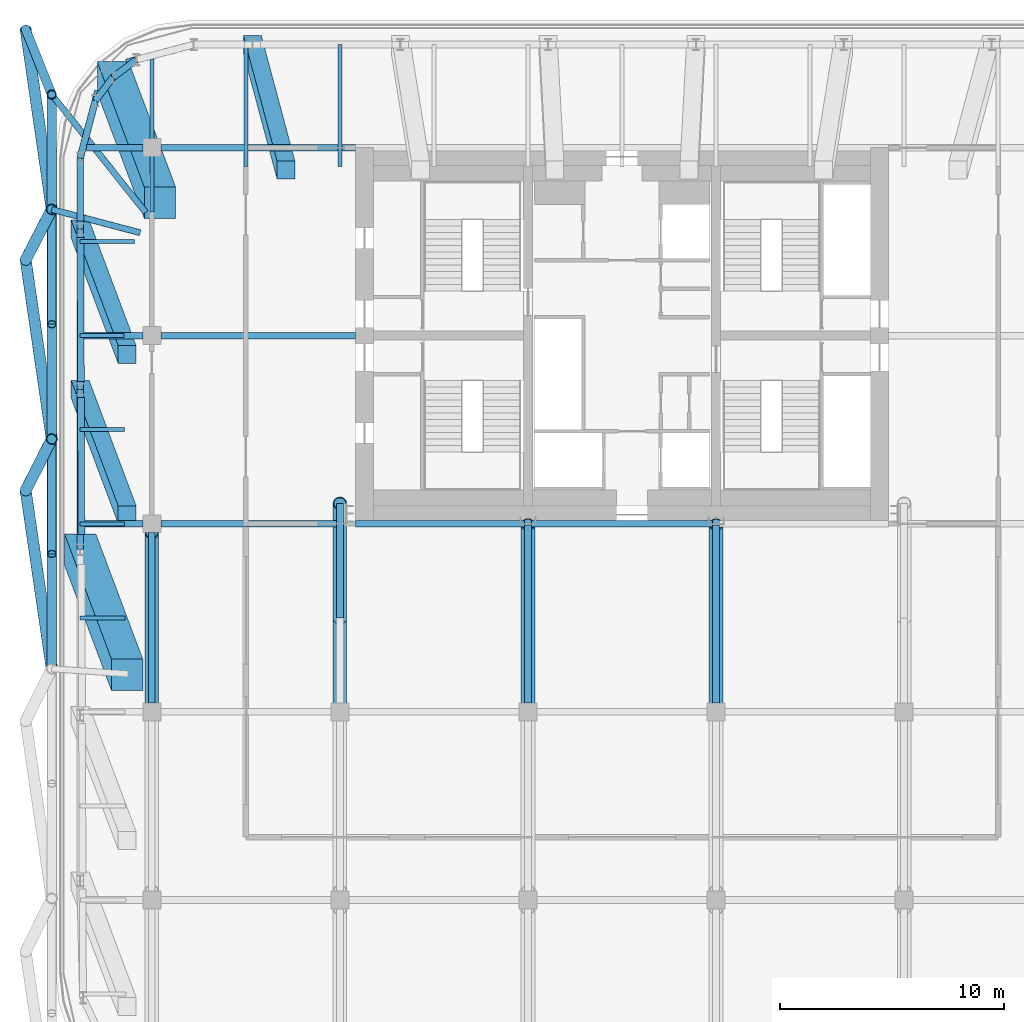
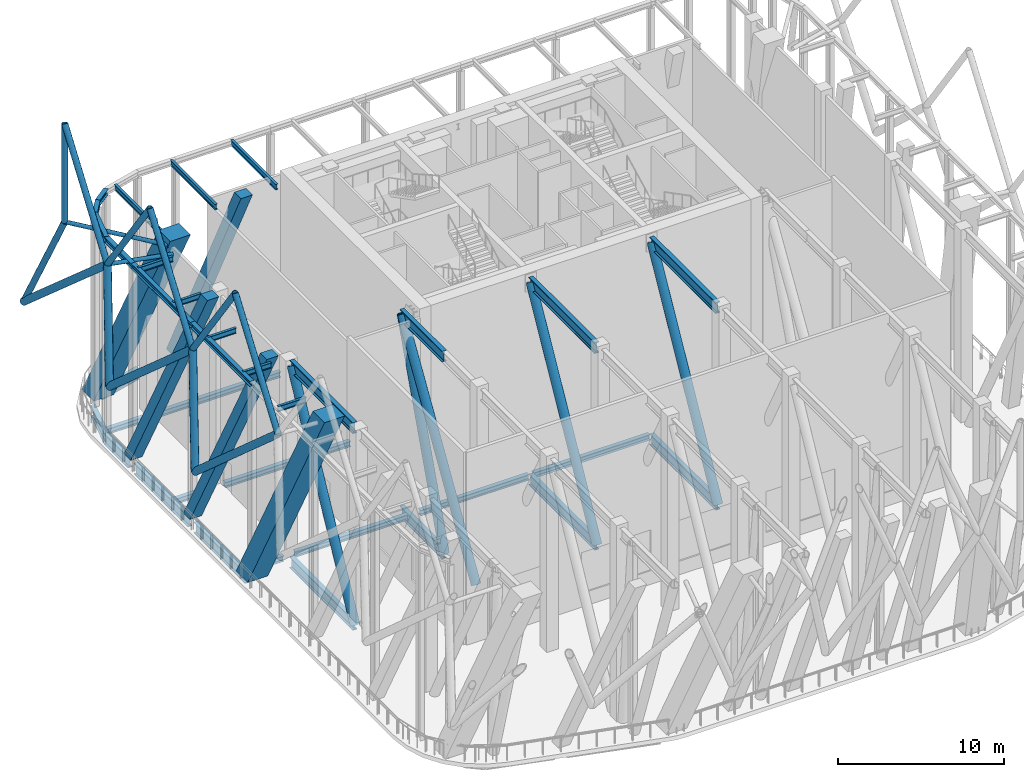
# One storey, part 6 of 20: 40 beams, 19 members.
"""IFC4 building model written with IfcOpenShell, lengths in metres."""

from ifc_helpers import new_model, si_unit, direction, frame, origin, origin_2d, place, context, subcontext, project, spatial, rectangle, hollow_circle, i_section, extrude, material, material_profile, profile_set, type_object, element, save


model = new_model("IFC4")

# Units and contexts
model_context = context("Model", 3, precision=1e-05, world=origin(), true_north=direction((0.0, 1.0)))
body_context = subcontext(model_context, "Body", "Model", "MODEL_VIEW")
ifc_project = project(units=[si_unit("LENGTHUNIT", "METRE"), si_unit("AREAUNIT", "SQUARE_METRE"), si_unit("VOLUMEUNIT", "CUBIC_METRE"), si_unit("PLANEANGLEUNIT", "RADIAN"), si_unit("MASSUNIT", "GRAM", prefix="KILO")], contexts=[model_context])

# Site, building, storey
site_placement = place(None, origin())
site = spatial("IfcSite", under=ifc_project, at=site_placement, CompositionType="ELEMENT")
building_placement = place(site_placement, origin())
building = spatial("IfcBuilding", under=site, at=building_placement, Name="Marenta Gate Hotel Tower", CompositionType="ELEMENT")
storey_placement = place(building_placement, frame((0.0, 0.0, 252.5)))
storey = spatial("IfcBuildingStorey", under=building, at=storey_placement, Name="L60", CompositionType="ELEMENT", Elevation=252.5)

# Members
ifc_material_1 = material(Name="Steel S355J2W", Category="steel")
ifc_material_profile_1 = material_profile(ifc_material_1, hollow_circle(Radius=0.203125, WallThickness=0.02490234375, at=origin_2d()), Name="CHS 406.4x25")
ifc_profile_set_1 = profile_set([ifc_material_profile_1], Name="Steel S355J2W")
member_type_1 = type_object("IfcMemberType", Name="Diagrid corner post Z3 CHS 406.4x25", PredefinedType="POST", material=ifc_profile_set_1)
member_1_placement = place(storey_placement, frame((-26.635009765625, 22.0849609375, 6.739990234375), z_axis=(0.148326514511, -0.371127113005, 0.916659102985), x_axis=(0.928583922291, 0.371122485525, 0.0)))
element("IfcMember", 1, at=member_1_placement, inside=storey, type_object=member_type_1, Name="L60-DR-6", PredefinedType="POST", context=body_context, shape_type="SweptSolid", body=[
    extrude(hollow_circle(Radius=0.203125, WallThickness=0.02490234375, at=origin_2d()), origin(), (0.0, 0.0, 1.0), 7.8544921875),
])
ifc_material_2 = material(Name="Steel S355J2W", Category="steel")
ifc_material_profile_2 = material_profile(ifc_material_2, hollow_circle(Radius=0.203125, WallThickness=0.01611328125, at=origin_2d()), Name="CHS 406.4x16")
ifc_profile_set_2 = profile_set([ifc_material_profile_2], Name="Steel S355J2W")
member_type_2 = type_object("IfcMemberType", Name="Diagrid corner post Z4 CHS 406.4x16", PredefinedType="POST", material=ifc_profile_set_2)
member_2_placement = place(storey_placement, frame((-25.469970703125, 19.169921875, 13.93994140625), z_axis=(0.0, 0.0, 1.0), x_axis=(1.0, 0.0, 0.0)))
element("IfcMember", 2, at=member_2_placement, inside=storey, type_object=member_type_2, Name="L60-DR-12", PredefinedType="POST", context=body_context, shape_type="SweptSolid", body=[
    extrude(hollow_circle(Radius=0.203125, WallThickness=0.01611328125, at=origin_2d()), origin(), (0.0, 0.0, 1.0), 7.199951171875),
])
ifc_material_3 = material(Name="Steel S355J2W", Category="steel")
ifc_material_profile_3 = material_profile(ifc_material_3, hollow_circle(Radius=0.25390625, WallThickness=0.0400390625, at=origin_2d()), Name="CHS 508x40")
ifc_profile_set_3 = profile_set([ifc_material_profile_3], Name="Steel S355J2W")
member_type_3 = type_object("IfcMemberType", Name="Diagrid diagonal T3 CHS 508x40", PredefinedType="BRACE", material=ifc_profile_set_3)
member_3_placement = place(storey_placement, frame((-26.635009765625, 1.486328125, 6.739990234375), z_axis=(0.10789052731, -0.737417736538, 0.666764363142), x_axis=(0.989465728106, 0.144767306062, 0.0)))
element("IfcMember", 3, at=member_3_placement, inside=storey, type_object=member_type_3, Name="L60-DG-30", PredefinedType="BRACE", context=body_context, shape_type="SweptSolid", body=[
    extrude(hollow_circle(Radius=0.25390625, WallThickness=0.0400390625, at=origin_2d()), origin(), (0.0, 0.0, 1.0), 10.79833984375),
])
member_4_placement = place(storey_placement, frame((-26.635009765625, 1.486328125, 6.739990234375), z_axis=(0.152365420009, 0.300228844164, 0.94161957282), x_axis=(-0.891736841079, 0.452554313052, 0.0)))
element("IfcMember", 4, at=member_4_placement, inside=storey, type_object=member_type_3, Name="L60-DG-31", PredefinedType="BRACE", context=body_context, shape_type="SweptSolid", body=[
    extrude(hollow_circle(Radius=0.25390625, WallThickness=0.0400390625, at=origin_2d()), origin(), (0.0, 0.0, 1.0), 7.646240234375),
])
member_5_placement = place(storey_placement, frame((-26.635009765625, 11.78564453125, 6.739990234375), z_axis=(0.107590615991, -0.739133102272, 0.664910908676), x_axis=(0.989571111289, 0.144045186318, 0.0)))
element("IfcMember", 5, at=member_5_placement, inside=storey, type_object=member_type_3, Name="L60-DG-32", PredefinedType="BRACE", context=body_context, shape_type="SweptSolid", body=[
    extrude(hollow_circle(Radius=0.25390625, WallThickness=0.0400390625, at=origin_2d()), origin(), (0.0, 0.0, 1.0), 10.828369140625),
])
member_6_placement = place(storey_placement, frame((-26.635009765625, 11.78564453125, 6.739990234375), z_axis=(0.152606305884, 0.295394896783, 0.943108249544), x_axis=(-0.888443556996, 0.458985888707, 0.0)))
element("IfcMember", 6, at=member_6_placement, inside=storey, type_object=member_type_3, Name="L60-DG-33", PredefinedType="BRACE", context=body_context, shape_type="SweptSolid", body=[
    extrude(hollow_circle(Radius=0.25390625, WallThickness=0.0400390625, at=origin_2d()), origin(), (0.0, 0.0, 1.0), 7.63427734375),
])
member_7_placement = place(storey_placement, frame((-26.635009765625, 22.0849609375, 6.739990234375), z_axis=(0.107293466385, -0.740824062011, 0.663074521617), x_axis=(0.989674312051, 0.14333442038, 0.0)))
element("IfcMember", 7, at=member_7_placement, inside=storey, type_object=member_type_3, Name="L60-DG-34", PredefinedType="BRACE", context=body_context, shape_type="SweptSolid", body=[
    extrude(hollow_circle(Radius=0.25390625, WallThickness=0.0400390625, at=origin_2d()), origin(), (0.0, 0.0, 1.0), 10.8583984375),
])
ifc_material_4 = material(Name="Steel S355J2W", Category="steel")
ifc_material_profile_4 = material_profile(ifc_material_4, hollow_circle(Radius=0.203125, WallThickness=0.02490234375, at=origin_2d()), Name="CHS 406.4x25")
ifc_profile_set_4 = profile_set([ifc_material_profile_4], Name="Steel S355J2W")
member_type_4 = type_object("IfcMemberType", Name="Diagrid diagonal Z4 CHS 406.4x25", PredefinedType="BRACE", material=ifc_profile_set_4)
member_8_placement = place(storey_placement, frame((-25.469970703125, -6.4765625, 13.93994140625), z_axis=(0.0, 0.580213650922, 0.81446431431), x_axis=(-1.0, 0.0, 0.0)))
element("IfcMember", 8, at=member_8_placement, inside=storey, type_object=member_type_4, Name="L60-DG-64", PredefinedType="BRACE", context=body_context, shape_type="SweptSolid", body=[
    extrude(hollow_circle(Radius=0.203125, WallThickness=0.02490234375, at=origin_2d()), origin(), (0.0, 0.0, 1.0), 8.840087890625),
])
for number, where, z_axis, x_axis, name in (
    (9, (-25.469970703125, 3.781982421875, 13.93994140625), (0.0, -0.580231970533, 0.81445126335), (1.0, 0.0, 0.0), "L60-DG-65"),
    (10, (-25.469970703125, 3.781982421875, 13.93994140625), (0.0, 0.580231970533, 0.81445126335), (-1.0, 0.0, 0.0), "L60-DG-66"),
    (11, (-25.469970703125, 14.040771484375, 13.93994140625), (0.0, -0.580231970533, 0.81445126335), (1.0, 0.0, 0.0), "L60-DG-67"),
):
    element("IfcMember", number, at=place(storey_placement, frame(where, z_axis=z_axis, x_axis=x_axis)), inside=storey, type_object=member_type_4, Name=name, PredefinedType="BRACE", context=body_context, shape_type="SweptSolid", body=[
        extrude(hollow_circle(Radius=0.203125, WallThickness=0.02490234375, at=origin_2d()), origin(), (0.0, 0.0, 1.0), 8.84033203125),
    ])
member_9_placement = place(storey_placement, frame((-25.469970703125, 14.040771484375, 13.93994140625), z_axis=(0.0, 0.580213650922, 0.81446431431), x_axis=(-1.0, 0.0, 0.0)))
element("IfcMember", 12, at=member_9_placement, inside=storey, type_object=member_type_4, Name="L60-DG-68", PredefinedType="BRACE", context=body_context, shape_type="SweptSolid", body=[
    extrude(hollow_circle(Radius=0.203125, WallThickness=0.02490234375, at=origin_2d()), origin(), (0.0, 0.0, 1.0), 8.840087890625),
])

# Beams
ifc_material_5 = material(Name="Steel S355", Category="steel")
ifc_material_profile_5 = material_profile(ifc_material_5, i_section(OverallWidth=0.302978515625, OverallDepth=0.81396484375, WebThickness=0.030029296875, FlangeThickness=0.052001953125, FilletRadius=0.030029296875, at=origin_2d()), Name="HEM 800")
ifc_profile_set_5 = profile_set([ifc_material_profile_5], Name="Steel S355")
beam_type_1 = type_object("IfcBeamType", Name="Edge beam HEM 800", PredefinedType="SPANDREL", material=ifc_profile_set_5)
beam_1_placement = place(storey_placement, frame((-24.14404296875, -0.489990234375, -0.70703125), z_axis=(-0.003303859048, 0.999994542243, 0.0), x_axis=(-0.999994542243, -0.003303859048, 0.0)))
element("IfcBeam", 13, at=beam_1_placement, inside=storey, type_object=beam_type_1, Name="L60-EB-8", PredefinedType="SPANDREL", context=body_context, shape_type="SweptSolid", body=[
    extrude(i_section(OverallWidth=0.302978515625, OverallDepth=0.81396484375, WebThickness=0.030029296875, FlangeThickness=0.052001953125, FilletRadius=0.030029296875, at=origin_2d()), origin(), (0.0, 0.0, 1.0), 6.13330078125),
])
beam_2_placement = place(storey_placement, frame((-24.166748046875, 6.36328125, -0.70703125), z_axis=(-0.00333963982, 0.999994423387, 0.0), x_axis=(-0.999994423387, -0.00333963982, 0.0)))
element("IfcBeam", 14, at=beam_2_placement, inside=storey, type_object=beam_type_1, Name="L60-EB-9", PredefinedType="SPANDREL", context=body_context, shape_type="SweptSolid", body=[
    extrude(i_section(OverallWidth=0.302978515625, OverallDepth=0.81396484375, WebThickness=0.030029296875, FlangeThickness=0.052001953125, FilletRadius=0.030029296875, at=origin_2d()), origin(), (0.0, 0.0, 1.0), 6.43310546875),
])
beam_3_placement = place(storey_placement, frame((-24.190673828125, 13.516357421875, -0.70703125), z_axis=(-0.003292020626, 0.999994581285, 0.0), x_axis=(-0.999994581285, -0.003292020626, 0.0)))
element("IfcBeam", 15, at=beam_3_placement, inside=storey, type_object=beam_type_1, Name="L60-EB-10", PredefinedType="SPANDREL", context=body_context, shape_type="SweptSolid", body=[
    extrude(i_section(OverallWidth=0.302978515625, OverallDepth=0.81396484375, WebThickness=0.030029296875, FlangeThickness=0.052001953125, FilletRadius=0.030029296875, at=origin_2d()), origin(), (0.0, 0.0, 1.0), 2.818115234375),
])
beam_4_placement = place(storey_placement, frame((-24.199951171875, 16.33447265625, -0.70703125), z_axis=(0.255648013319, 0.966769927794, 0.0), x_axis=(-0.966769927794, 0.255648013319, 0.0)))
element("IfcBeam", 16, at=beam_4_placement, inside=storey, type_object=beam_type_1, Name="L60-EB-11", PredefinedType="SPANDREL", context=body_context, shape_type="SweptSolid", body=[
    extrude(i_section(OverallWidth=0.302978515625, OverallDepth=0.81396484375, WebThickness=0.030029296875, FlangeThickness=0.052001953125, FilletRadius=0.030029296875, at=origin_2d()), origin(), (0.0, 0.0, 1.0), 3.100830078125),
])
beam_5_placement = place(storey_placement, frame((-22.132080078125, 20.607177734375, -0.70703125), z_axis=(0.9667647815, 0.25566747398, 0.0), x_axis=(-0.25566747398, 0.9667647815, 0.0)))
element("IfcBeam", 17, at=beam_5_placement, inside=storey, type_object=beam_type_1, Name="L60-EB-12", PredefinedType="SPANDREL", context=body_context, shape_type="SweptSolid", body=[
    extrude(i_section(OverallWidth=0.302978515625, OverallDepth=0.81396484375, WebThickness=0.030029296875, FlangeThickness=0.052001953125, FilletRadius=0.030029296875, at=origin_2d()), origin(), (0.0, 0.0, 1.0), 3.1005859375),
])

# Members
ifc_material_6 = material(Name="Concrete C60", Category="concrete")
ifc_material_profile_6 = material_profile(ifc_material_6, rectangle(XDim=0.800048828125, YDim=0.800048828125, at=origin_2d()), Name="800 x 800")
ifc_profile_set_6 = profile_set([ifc_material_profile_6], Name="Concrete C60")
member_type_5 = type_object("IfcMemberType", Name="Edge column raked 800 x 800 C60", PredefinedType="STRUT", material=ifc_profile_set_6)
member_10_placement = place(storey_placement, frame((-24.199951171875, 6.003173828125, 0.0), z_axis=(0.0, 0.0, 1.0), x_axis=(1.0, 0.0, 0.0)))
element("IfcMember", 18, at=member_10_placement, inside=storey, type_object=member_type_5, Name="L60-EC-W-NW-1", PredefinedType="STRUT", context=body_context, shape_type="SweptSolid", body=[
    extrude(rectangle(XDim=0.800048828125, YDim=0.800048828125, at=origin_2d()), origin(), (0.134671051594, -0.359138461855, 0.923516796317), 15.592529296875),
])
member_11_placement = place(storey_placement, frame((-24.199951171875, 13.156494140625, 0.0), z_axis=(0.0, 0.0, 1.0), x_axis=(1.0, 0.0, 0.0)))
element("IfcMember", 19, at=member_11_placement, inside=storey, type_object=member_type_5, Name="L60-EC-W-NW-2", PredefinedType="STRUT", context=body_context, shape_type="SweptSolid", body=[
    extrude(rectangle(XDim=0.800048828125, YDim=0.800048828125, at=origin_2d()), origin(), (0.134670294295, -0.359152099819, 0.923511603084), 15.592529296875),
])
member_12_placement = place(storey_placement, frame((-16.5068359375, 21.39990234375, 0.0), z_axis=(0.0, 0.0, 1.0), x_axis=(1.0, 0.0, 0.0)))
element("IfcMember", 20, at=member_12_placement, inside=storey, type_object=member_type_5, Name="L60-EC-NW-NE-1", PredefinedType="STRUT", context=body_context, shape_type="SweptSolid", body=[
    extrude(rectangle(XDim=0.800048828125, YDim=0.800048828125, at=origin_2d()), origin(), (0.096630401295, -0.360744061604, 0.927645561388), 15.52294921875),
])
ifc_material_7 = material(Name="Steel S355J2W", Category="steel")
ifc_material_profile_7 = material_profile(ifc_material_7, hollow_circle(Radius=0.136474609375, WallThickness=0.012451171875, at=origin_2d()), Name="CHS 273x12.5")
ifc_profile_set_7 = profile_set([ifc_material_profile_7], Name="Steel S355J2W")
member_type_6 = type_object("IfcMemberType", Name="Floor tie CHS 273x12.5", PredefinedType="STRUT", material=ifc_profile_set_7)
member_13_placement = place(storey_placement, frame((-25.469970703125, 14.040771484375, 13.93994140625), z_axis=(0.966769067154, -0.255651267928, 0.0), x_axis=(0.255651267928, 0.966769067154, 0.0)))
element("IfcMember", 21, at=member_13_placement, inside=storey, type_object=member_type_6, Name="L60-DR-27", PredefinedType="STRUT", context=body_context, shape_type="SweptSolid", body=[
    extrude(hollow_circle(Radius=0.136474609375, WallThickness=0.012451171875, at=origin_2d()), origin(), (0.0, 0.0, 1.0), 4.088134765625),
])
member_14_placement = place(storey_placement, frame((-25.469970703125, 19.169921875, 13.93994140625), z_axis=(0.623118760931, -0.782127233751, 0.0), x_axis=(0.782127233751, 0.623118760931, 0.0)))
element("IfcMember", 22, at=member_14_placement, inside=storey, type_object=member_type_6, Name="L60-DR-28", PredefinedType="STRUT", context=body_context, shape_type="SweptSolid", body=[
    extrude(hollow_circle(Radius=0.136474609375, WallThickness=0.012451171875, at=origin_2d()), origin(), (0.0, 0.0, 1.0), 6.729736328125),
])

# Beams
ifc_material_8 = material(Name="Steel S355", Category="steel")
ifc_material_profile_8 = material_profile(ifc_material_8, i_section(OverallWidth=0.300048828125, OverallDepth=0.39990234375, WebThickness=0.013427734375, FlangeThickness=0.02392578125, FilletRadius=0.027099609375, at=origin_2d()), Name="HEB 400")
ifc_profile_set_8 = profile_set([ifc_material_profile_8], Name="Steel S355")
beam_type_2 = type_object("IfcBeamType", Name="Girder HEB 400", PredefinedType="BEAM", material=ifc_profile_set_8)
beam_6_placement = place(storey_placement, frame((-23.994140625, 0.0, -0.5), z_axis=(1.0, 0.0, 0.0), x_axis=(0.0, 1.0, 0.0)))
element("IfcBeam", 23, at=beam_6_placement, inside=storey, type_object=beam_type_2, Name="L60-GD-20", PredefinedType="BEAM", context=body_context, shape_type="SweptSolid", body=[
    extrude(i_section(OverallWidth=0.300048828125, OverallDepth=0.39990234375, WebThickness=0.013427734375, FlangeThickness=0.02392578125, FilletRadius=0.027099609375, at=origin_2d()), origin(), (0.0, 0.0, 1.0), 2.59423828125),
])
beam_7_placement = place(storey_placement, frame((-20.60009765625, 0.0, -0.5), z_axis=(1.0, 0.0, 0.0), x_axis=(0.0, 1.0, 0.0)))
element("IfcBeam", 24, at=beam_7_placement, inside=storey, type_object=beam_type_2, Name="L60-GD-21", PredefinedType="BEAM", context=body_context, shape_type="SweptSolid", body=[
    extrude(i_section(OverallWidth=0.300048828125, OverallDepth=0.39990234375, WebThickness=0.013427734375, FlangeThickness=0.02392578125, FilletRadius=0.027099609375, at=origin_2d()), origin(), (0.0, 0.0, 1.0), 7.8486328125),
])
beam_8_placement = place(storey_placement, frame((-11.89990234375, 0.0, -0.5), z_axis=(1.0, 0.0, 0.0), x_axis=(0.0, 1.0, 0.0)))
element("IfcBeam", 25, at=beam_8_placement, inside=storey, type_object=beam_type_2, Name="L60-GD-22", PredefinedType="BEAM", context=body_context, shape_type="SweptSolid", body=[
    extrude(i_section(OverallWidth=0.300048828125, OverallDepth=0.39990234375, WebThickness=0.013427734375, FlangeThickness=0.02392578125, FilletRadius=0.027099609375, at=origin_2d()), origin(), (0.0, 0.0, 1.0), 7.54833984375),
])
beam_9_placement = place(storey_placement, frame((-4.048583984375, 0.0, -0.5), z_axis=(1.0, 0.0, 0.0), x_axis=(0.0, 1.0, 0.0)))
element("IfcBeam", 26, at=beam_9_placement, inside=storey, type_object=beam_type_2, Name="L60-GD-23", PredefinedType="BEAM", context=body_context, shape_type="SweptSolid", body=[
    extrude(i_section(OverallWidth=0.300048828125, OverallDepth=0.39990234375, WebThickness=0.013427734375, FlangeThickness=0.02392578125, FilletRadius=0.027099609375, at=origin_2d()), origin(), (0.0, 0.0, 1.0), 8.09716796875),
])
beam_10_placement = place(storey_placement, frame((-24.02197265625, 8.39990234375, -0.5), z_axis=(1.0, 0.0, 0.0), x_axis=(0.0, 1.0, 0.0)))
element("IfcBeam", 27, at=beam_10_placement, inside=storey, type_object=beam_type_2, Name="L60-GD-27", PredefinedType="BEAM", context=body_context, shape_type="SweptSolid", body=[
    extrude(i_section(OverallWidth=0.300048828125, OverallDepth=0.39990234375, WebThickness=0.013427734375, FlangeThickness=0.02392578125, FilletRadius=0.027099609375, at=origin_2d()), origin(), (0.0, 0.0, 1.0), 2.6220703125),
])
beam_11_placement = place(storey_placement, frame((-20.60009765625, 8.39990234375, -0.5), z_axis=(1.0, 0.0, 0.0), x_axis=(0.0, 1.0, 0.0)))
element("IfcBeam", 28, at=beam_11_placement, inside=storey, type_object=beam_type_2, Name="L60-GD-28", PredefinedType="BEAM", context=body_context, shape_type="SweptSolid", body=[
    extrude(i_section(OverallWidth=0.300048828125, OverallDepth=0.39990234375, WebThickness=0.013427734375, FlangeThickness=0.02392578125, FilletRadius=0.027099609375, at=origin_2d()), origin(), (0.0, 0.0, 1.0), 8.7001953125),
])
beam_12_placement = place(storey_placement, frame((-23.920166015625, 16.800048828125, -0.5), z_axis=(1.0, 0.0, 0.0), x_axis=(0.0, 1.0, 0.0)))
element("IfcBeam", 29, at=beam_12_placement, inside=storey, type_object=beam_type_2, Name="L60-GD-31", PredefinedType="BEAM", context=body_context, shape_type="SweptSolid", body=[
    extrude(i_section(OverallWidth=0.300048828125, OverallDepth=0.39990234375, WebThickness=0.013427734375, FlangeThickness=0.02392578125, FilletRadius=0.027099609375, at=origin_2d()), origin(), (0.0, 0.0, 1.0), 2.520263671875),
])
beam_13_placement = place(storey_placement, frame((-20.60009765625, 16.800048828125, -0.5), z_axis=(1.0, 0.0, 0.0), x_axis=(0.0, 1.0, 0.0)))
element("IfcBeam", 30, at=beam_13_placement, inside=storey, type_object=beam_type_2, Name="L60-GD-32", PredefinedType="BEAM", context=body_context, shape_type="SweptSolid", body=[
    extrude(i_section(OverallWidth=0.300048828125, OverallDepth=0.39990234375, WebThickness=0.013427734375, FlangeThickness=0.02392578125, FilletRadius=0.027099609375, at=origin_2d()), origin(), (0.0, 0.0, 1.0), 8.7001953125),
])

# Members
ifc_material_9 = material(Name="Concrete C60", Category="concrete")
ifc_material_profile_9 = material_profile(ifc_material_9, rectangle(XDim=1.39990234375, YDim=1.39990234375, at=origin_2d()), Name="1400 x 1400")
ifc_profile_set_9 = profile_set([ifc_material_profile_9], Name="Concrete C60")
member_type_7 = type_object("IfcMemberType", Name="Mega column raked 1400 x 1400 C60", PredefinedType="STRUT", material=ifc_profile_set_9)
member_15_placement = place(storey_placement, frame((-22.735595703125, 19.935546875, 0.0), z_axis=(0.0, 0.0, 1.0), x_axis=(1.0, 0.0, 0.0)))
element("IfcMember", 31, at=member_15_placement, inside=storey, type_object=member_type_7, Name="L60-MC-NW", PredefinedType="STRUT", context=body_context, shape_type="SweptSolid", body=[
    extrude(rectangle(XDim=1.39990234375, YDim=1.39990234375, at=origin_2d()), origin(), (0.134685667796, -0.359151342469, 0.923509655658), 15.592529296875),
])
member_16_placement = place(storey_placement, frame((-24.199951171875, -1.14990234375, 0.0), z_axis=(0.0, 0.0, 1.0), x_axis=(1.0, 0.0, 0.0)))
element("IfcMember", 32, at=member_16_placement, inside=storey, type_object=member_type_7, Name="L60-MC-W", PredefinedType="STRUT", context=body_context, shape_type="SweptSolid", body=[
    extrude(rectangle(XDim=1.39990234375, YDim=1.39990234375, at=origin_2d()), origin(), (0.134670294295, -0.359152099819, 0.923511603084), 15.592529296875),
])

# Beams
ifc_material_10 = material(Name="Steel S355", Category="steel")
ifc_material_profile_10 = material_profile(ifc_material_10, i_section(OverallWidth=0.302978515625, OverallDepth=0.81396484375, WebThickness=0.030029296875, FlangeThickness=0.052001953125, FilletRadius=0.030029296875, at=origin_2d()), Name="HEM 800")
ifc_profile_set_10 = profile_set([ifc_material_profile_10], Name="Steel S355")
beam_type_3 = type_object("IfcBeamType", Name="Outrigger truss chord HEM 800", PredefinedType="BEAM", material=ifc_profile_set_10)
for number, where, z_axis, x_axis, name in (
    (33, (-21.0, -0.39990234375, -0.70703125), (0.0, -1.0, 0.0), (1.0, 0.0, 0.0), "TC-HEM800 Outrigger truss T3-4 chord"),
    (34, (-21.0, -0.39990234375, 13.73291015625), (0.0, -1.0, 0.0), (1.0, 0.0, 0.0), "TC-HEM800 Outrigger truss T3-4 chord"),
):
    element("IfcBeam", number, at=place(storey_placement, frame(where, z_axis=z_axis, x_axis=x_axis)), inside=storey, type_object=beam_type_3, Name=name, PredefinedType="BEAM", context=body_context, shape_type="SweptSolid", body=[
        extrude(i_section(OverallWidth=0.302978515625, OverallDepth=0.81396484375, WebThickness=0.030029296875, FlangeThickness=0.052001953125, FilletRadius=0.030029296875, at=origin_2d()), origin(), (0.0, 0.0, 1.0), 7.60009765625),
    ])
for number, where, z_axis, x_axis, name in (
    (35, (-12.60009765625, 0.89990234375, -0.70703125), (0.0, -1.0, 0.0), (1.0, 0.0, 0.0), "TC-HEM800 Outrigger truss T3-5 chord"),
    (36, (-12.60009765625, 0.89990234375, 13.73291015625), (0.0, -1.0, 0.0), (1.0, 0.0, 0.0), "TC-HEM800 Outrigger truss T3-5 chord"),
):
    element("IfcBeam", number, at=place(storey_placement, frame(where, z_axis=z_axis, x_axis=x_axis)), inside=storey, type_object=beam_type_3, Name=name, PredefinedType="BEAM", context=body_context, shape_type="SweptSolid", body=[
        extrude(i_section(OverallWidth=0.302978515625, OverallDepth=0.81396484375, WebThickness=0.030029296875, FlangeThickness=0.052001953125, FilletRadius=0.030029296875, at=origin_2d()), origin(), (0.0, 0.0, 1.0), 5.099853515625),
    ])
for number, where, z_axis, x_axis, name in (
    (37, (-4.199951171875, -0.050048828125, -0.70703125), (0.0, -1.0, 0.0), (1.0, 0.0, 0.0), "TC-HEM800 Outrigger truss T3-6 chord"),
    (38, (-4.199951171875, -0.050048828125, 13.73291015625), (0.0, -1.0, 0.0), (1.0, 0.0, 0.0), "TC-HEM800 Outrigger truss T3-6 chord"),
    (39, (4.199951171875, -0.050048828125, -0.70703125), (0.0, -1.0, 0.0), (1.0, 0.0, 0.0), "TC-HEM800 Outrigger truss T3-7 chord"),
    (40, (4.199951171875, -0.050048828125, 13.73291015625), (0.0, -1.0, 0.0), (1.0, 0.0, 0.0), "TC-HEM800 Outrigger truss T3-7 chord"),
):
    element("IfcBeam", number, at=place(storey_placement, frame(where, z_axis=z_axis, x_axis=x_axis)), inside=storey, type_object=beam_type_3, Name=name, PredefinedType="BEAM", context=body_context, shape_type="SweptSolid", body=[
        extrude(i_section(OverallWidth=0.302978515625, OverallDepth=0.81396484375, WebThickness=0.030029296875, FlangeThickness=0.052001953125, FilletRadius=0.030029296875, at=origin_2d()), origin(), (0.0, 0.0, 1.0), 7.949951171875),
    ])
ifc_material_11 = material(Name="Steel S355", Category="steel")
ifc_material_profile_11 = material_profile(ifc_material_11, hollow_circle(Radius=0.304931640625, WallThickness=0.0400390625, at=origin_2d()), Name="CHS 610x40")
ifc_profile_set_11 = profile_set([ifc_material_profile_11], Name="Steel S355")
beam_type_4 = type_object("IfcBeamType", Name="Outrigger truss diagonal CHS 610x40", PredefinedType="BEAM", material=ifc_profile_set_11)
beam_14_placement = place(storey_placement, frame((-21.0, -0.39990234375, 13.73291015625), z_axis=(0.0, -0.465752599181, -0.884914976908), x_axis=(1.0, 0.0, 0.0)))
element("IfcBeam", 41, at=beam_14_placement, inside=storey, type_object=beam_type_4, Name="Outrigger truss T3-4 diagonal", PredefinedType="BEAM", context=body_context, shape_type="SweptSolid", body=[
    extrude(hollow_circle(Radius=0.304931640625, WallThickness=0.0400390625, at=origin_2d()), origin(), (0.0, 0.0, 1.0), 16.31787109375),
])
beam_15_placement = place(storey_placement, frame((-12.60009765625, 0.915771484375, 13.758544921875), z_axis=(0.0, -0.524689699532, -0.851293556422), x_axis=(1.0, 0.0, 0.0)))
element("IfcBeam", 42, at=beam_15_placement, inside=storey, type_object=beam_type_4, Name="Outrigger truss T3-5 diagonal", PredefinedType="BEAM", context=body_context, shape_type="SweptSolid", body=[
    extrude(hollow_circle(Radius=0.304931640625, WallThickness=0.0400390625, at=origin_2d()), origin(), (0.0, 0.0, 1.0), 16.992431640625),
])
beam_16_placement = place(storey_placement, frame((-12.60009765625, -4.199951171875, -0.70703125), z_axis=(0.0, 0.333018190675, 0.942920402091), x_axis=(-1.0, 0.0, 0.0)))
element("IfcBeam", 43, at=beam_16_placement, inside=storey, type_object=beam_type_4, Name="Outrigger truss T3-5 diagonal", PredefinedType="BEAM", context=body_context, shape_type="SweptSolid", body=[
    extrude(hollow_circle(Radius=0.304931640625, WallThickness=0.0400390625, at=origin_2d()), origin(), (0.0, 0.0, 1.0), 15.343994140625),
])
for number, where, z_axis, x_axis, name in (
    (44, (-4.199951171875, -0.03564453125, 13.75927734375), (0.0, -0.482285329364, -0.876014189999), (1.0, 0.0, 0.0), "Outrigger truss T3-6 diagonal"),
    (45, (4.199951171875, -0.03564453125, 13.75927734375), (0.0, -0.482285329364, -0.876014189999), (1.0, 0.0, 0.0), "Outrigger truss T3-7 diagonal"),
):
    element("IfcBeam", number, at=place(storey_placement, frame(where, z_axis=z_axis, x_axis=x_axis)), inside=storey, type_object=beam_type_4, Name=name, PredefinedType="BEAM", context=body_context, shape_type="SweptSolid", body=[
        extrude(hollow_circle(Radius=0.304931640625, WallThickness=0.0400390625, at=origin_2d()), origin(), (0.0, 0.0, 1.0), 16.513671875),
    ])
ifc_material_12 = material(Name="Steel S355", Category="steel")
ifc_material_profile_12 = material_profile(ifc_material_12, i_section(OverallWidth=0.179931640625, OverallDepth=0.39990234375, WebThickness=0.008544921875, FlangeThickness=0.013427734375, FilletRadius=0.02099609375, at=origin_2d()), Name="IPE 400")
ifc_profile_set_12 = profile_set([ifc_material_profile_12], Name="Steel S355")
beam_type_5 = type_object("IfcBeamType", Name="Terrace beam IPE 400", PredefinedType="JOIST", material=ifc_profile_set_12)
beam_17_placement = place(storey_placement, frame((-21.0, 13.931884765625, 13.93994140625), z_axis=(0.0, 1.0, 0.0), x_axis=(-1.0, 0.0, 0.0)))
element("IfcBeam", 46, at=beam_17_placement, inside=storey, type_object=beam_type_5, Name="L60-TB-1", PredefinedType="JOIST", context=body_context, shape_type="SweptSolid", body=[
    extrude(i_section(OverallWidth=0.179931640625, OverallDepth=0.39990234375, WebThickness=0.008544921875, FlangeThickness=0.013427734375, FilletRadius=0.02099609375, at=origin_2d()), origin(), (0.0, 0.0, 1.0), 6.91552734375),
])
for number, where, z_axis, x_axis, name in (
    (47, (-16.800048828125, 15.950927734375, 13.93994140625), (0.0, 1.0, 0.0), (-1.0, 0.0, 0.0), "L60-TB-2"),
    (48, (-12.60009765625, 15.950927734375, 13.93994140625), (0.0, 1.0, 0.0), (-1.0, 0.0, 0.0), "L60-TB-3"),
):
    element("IfcBeam", number, at=place(storey_placement, frame(where, z_axis=z_axis, x_axis=x_axis)), inside=storey, type_object=beam_type_5, Name=name, PredefinedType="JOIST", context=body_context, shape_type="SweptSolid", body=[
        extrude(i_section(OverallWidth=0.179931640625, OverallDepth=0.39990234375, WebThickness=0.008544921875, FlangeThickness=0.013427734375, FilletRadius=0.02099609375, at=origin_2d()), origin(), (0.0, 0.0, 1.0), 5.448974609375),
    ])
beam_18_placement = place(storey_placement, frame((-24.199951171875, -4.199951171875, 13.93994140625), z_axis=(1.0, 0.0, 0.0), x_axis=(0.0, 1.0, 0.0)))
element("IfcBeam", 49, at=beam_18_placement, inside=storey, type_object=beam_type_5, Name="L60-TB-25", PredefinedType="JOIST", context=body_context, shape_type="SweptSolid", body=[
    extrude(i_section(OverallWidth=0.179931640625, OverallDepth=0.39990234375, WebThickness=0.008544921875, FlangeThickness=0.013427734375, FilletRadius=0.02099609375, at=origin_2d()), origin(), (0.0, 0.0, 1.0), 1.998779296875),
])
beam_19_placement = place(storey_placement, frame((-24.199951171875, 0.0, 13.93994140625), z_axis=(1.0, 0.0, 0.0), x_axis=(0.0, 1.0, 0.0)))
element("IfcBeam", 50, at=beam_19_placement, inside=storey, type_object=beam_type_5, Name="L60-TB-26", PredefinedType="JOIST", context=body_context, shape_type="SweptSolid", body=[
    extrude(i_section(OverallWidth=0.179931640625, OverallDepth=0.39990234375, WebThickness=0.008544921875, FlangeThickness=0.013427734375, FilletRadius=0.02099609375, at=origin_2d()), origin(), (0.0, 0.0, 1.0), 1.984619140625),
])
beam_20_placement = place(storey_placement, frame((-24.199951171875, 4.199951171875, 13.93994140625), z_axis=(1.0, 0.0, 0.0), x_axis=(0.0, 1.0, 0.0)))
element("IfcBeam", 51, at=beam_20_placement, inside=storey, type_object=beam_type_5, Name="L60-TB-27", PredefinedType="JOIST", context=body_context, shape_type="SweptSolid", body=[
    extrude(i_section(OverallWidth=0.179931640625, OverallDepth=0.39990234375, WebThickness=0.008544921875, FlangeThickness=0.013427734375, FilletRadius=0.02099609375, at=origin_2d()), origin(), (0.0, 0.0, 1.0), 1.970703125),
])
beam_21_placement = place(storey_placement, frame((-24.199951171875, 8.39990234375, 13.93994140625), z_axis=(1.0, 0.0, 0.0), x_axis=(0.0, 1.0, 0.0)))
element("IfcBeam", 52, at=beam_21_placement, inside=storey, type_object=beam_type_5, Name="L60-TB-28", PredefinedType="JOIST", context=body_context, shape_type="SweptSolid", body=[
    extrude(i_section(OverallWidth=0.179931640625, OverallDepth=0.39990234375, WebThickness=0.008544921875, FlangeThickness=0.013427734375, FilletRadius=0.02099609375, at=origin_2d()), origin(), (0.0, 0.0, 1.0), 1.956787109375),
])
beam_22_placement = place(storey_placement, frame((-24.199951171875, 12.60009765625, 13.93994140625), z_axis=(1.0, 0.0, 0.0), x_axis=(0.0, 1.0, 0.0)))
element("IfcBeam", 53, at=beam_22_placement, inside=storey, type_object=beam_type_5, Name="L60-TB-29", PredefinedType="JOIST", context=body_context, shape_type="SweptSolid", body=[
    extrude(i_section(OverallWidth=0.179931640625, OverallDepth=0.39990234375, WebThickness=0.008544921875, FlangeThickness=0.013427734375, FilletRadius=0.02099609375, at=origin_2d()), origin(), (0.0, 0.0, 1.0), 2.43701171875),
])
ifc_material_13 = material(Name="Steel S355", Category="steel")
ifc_material_profile_13 = material_profile(ifc_material_13, i_section(OverallWidth=0.300048828125, OverallDepth=0.39990234375, WebThickness=0.013427734375, FlangeThickness=0.02392578125, FilletRadius=0.027099609375, at=origin_2d()), Name="HEB 400")
ifc_profile_set_13 = profile_set([ifc_material_profile_13], Name="Steel S355")
beam_type_6 = type_object("IfcBeamType", Name="Terrace edge beam HEB 400", PredefinedType="SPANDREL", material=ifc_profile_set_13)
beam_23_placement = place(storey_placement, frame((-24.199951171875, -1.14990234375, 13.93994140625), z_axis=(0.0, 1.0, 0.0), x_axis=(-1.0, 0.0, 0.0)))
element("IfcBeam", 54, at=beam_23_placement, inside=storey, type_object=beam_type_6, Name="L60-TE-5", PredefinedType="SPANDREL", context=body_context, shape_type="SweptSolid", body=[
    extrude(i_section(OverallWidth=0.300048828125, OverallDepth=0.39990234375, WebThickness=0.013427734375, FlangeThickness=0.02392578125, FilletRadius=0.027099609375, at=origin_2d()), origin(), (0.0, 0.0, 1.0), 7.153076171875),
])
beam_24_placement = place(storey_placement, frame((-24.199951171875, 6.003173828125, 13.93994140625), z_axis=(0.0, 1.0, 0.0), x_axis=(-1.0, 0.0, 0.0)))
element("IfcBeam", 55, at=beam_24_placement, inside=storey, type_object=beam_type_6, Name="L60-TE-6", PredefinedType="SPANDREL", context=body_context, shape_type="SweptSolid", body=[
    extrude(i_section(OverallWidth=0.300048828125, OverallDepth=0.39990234375, WebThickness=0.013427734375, FlangeThickness=0.02392578125, FilletRadius=0.027099609375, at=origin_2d()), origin(), (0.0, 0.0, 1.0), 7.1533203125),
])
beam_25_placement = place(storey_placement, frame((-24.199951171875, 13.156494140625, 13.93994140625), z_axis=(0.0, 1.0, 0.0), x_axis=(-1.0, 0.0, 0.0)))
element("IfcBeam", 56, at=beam_25_placement, inside=storey, type_object=beam_type_6, Name="L60-TE-7", PredefinedType="SPANDREL", context=body_context, shape_type="SweptSolid", body=[
    extrude(i_section(OverallWidth=0.300048828125, OverallDepth=0.39990234375, WebThickness=0.013427734375, FlangeThickness=0.02392578125, FilletRadius=0.027099609375, at=origin_2d()), origin(), (0.0, 0.0, 1.0), 3.177978515625),
])
beam_26_placement = place(storey_placement, frame((-24.199951171875, 16.33447265625, 13.93994140625), z_axis=(0.255631662681, 0.96677425133, 0.0), x_axis=(-0.96677425133, 0.255631662681, 0.0)))
element("IfcBeam", 57, at=beam_26_placement, inside=storey, type_object=beam_type_6, Name="L60-TE-8", PredefinedType="SPANDREL", context=body_context, shape_type="SweptSolid", body=[
    extrude(i_section(OverallWidth=0.300048828125, OverallDepth=0.39990234375, WebThickness=0.013427734375, FlangeThickness=0.02392578125, FilletRadius=0.027099609375, at=origin_2d()), origin(), (0.0, 0.0, 1.0), 2.6494140625),
])
for number, where, z_axis, x_axis, name in (
    (58, (-23.522705078125, 18.895751953125, 13.93994140625), (0.603558484076, 0.79731872943, 0.0), (-0.79731872943, 0.603558484076, 0.0), "L60-TE-9"),
    (59, (-22.735595703125, 19.935546875, 13.93994140625), (0.797386910814, 0.603468403865, 0.0), (-0.603468403865, 0.797386910814, 0.0), "L60-TE-10"),
):
    element("IfcBeam", number, at=place(storey_placement, frame(where, z_axis=z_axis, x_axis=x_axis)), inside=storey, type_object=beam_type_6, Name=name, PredefinedType="SPANDREL", context=body_context, shape_type="SweptSolid", body=[
        extrude(i_section(OverallWidth=0.300048828125, OverallDepth=0.39990234375, WebThickness=0.013427734375, FlangeThickness=0.02392578125, FilletRadius=0.027099609375, at=origin_2d()), origin(), (0.0, 0.0, 1.0), 1.30419921875),
    ])

save(model, "model.ifc")
